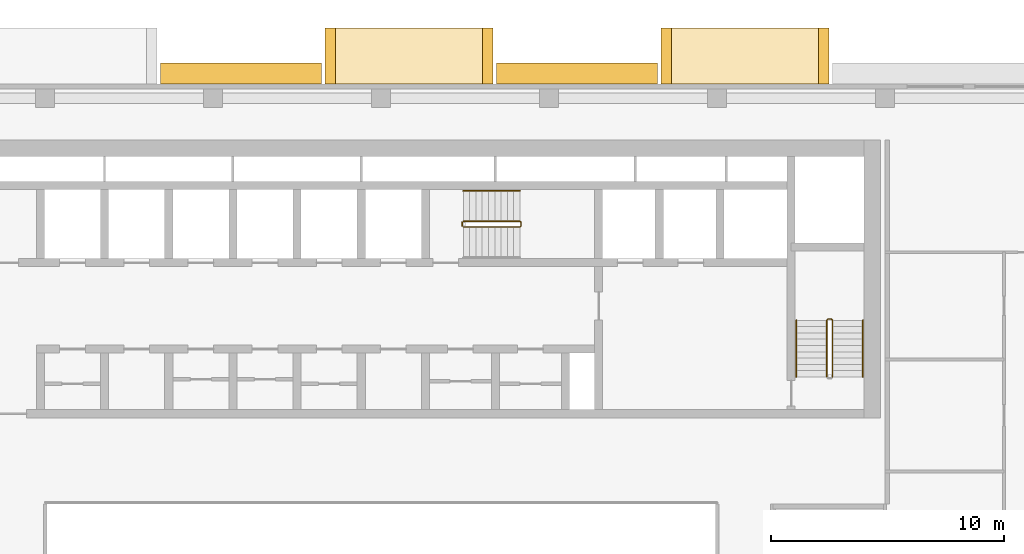
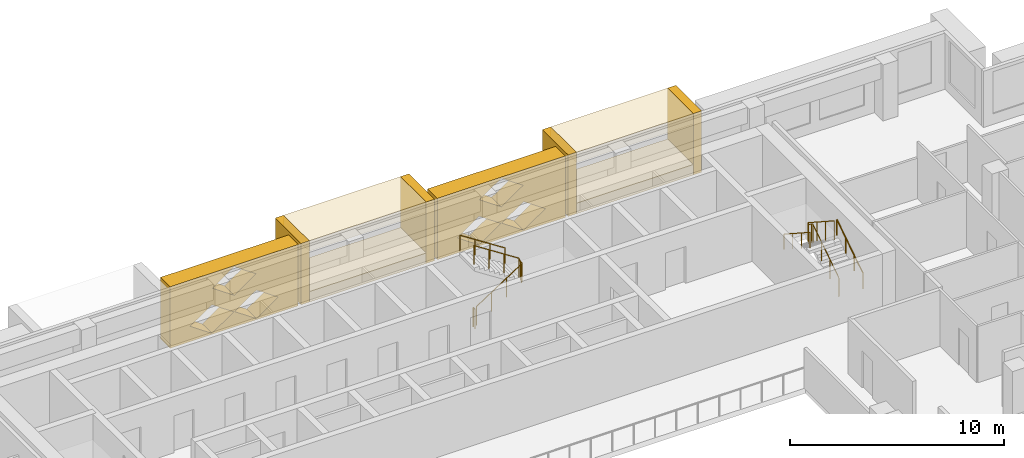
# One storey, part 19 of 20: 10 coverings, 6 railings.
"""IFC4 building model written with IfcOpenShell, lengths in metres."""

from ifc_helpers import new_model, si_unit, direction, frame, origin, origin_2d, place, context, subcontext, project, spatial, polyline, circle, outline, extrude, material, type_object, element, save


model = new_model("IFC4")

# Units and contexts
model_context = context("Model", 3, precision=1e-05, world=origin(), true_north=direction((0.0, 1.0)))
body_context = subcontext(model_context, "Body", "Model", "MODEL_VIEW")
ifc_project = project(units=[si_unit("LENGTHUNIT", "METRE"), si_unit("AREAUNIT", "SQUARE_METRE"), si_unit("VOLUMEUNIT", "CUBIC_METRE"), si_unit("PLANEANGLEUNIT", "RADIAN"), si_unit("MASSUNIT", "GRAM", prefix="KILO")], contexts=[model_context])

# Site, building, storey
site_placement = place(None, origin())
site = spatial("IfcSite", under=ifc_project, at=site_placement, CompositionType="ELEMENT")
building_placement = place(site_placement, origin())
building = spatial("IfcBuilding", under=site, at=building_placement, Name="Saffron Iwan Residences", CompositionType="ELEMENT")
storey_placement = place(building_placement, frame((0.0, 0.0, 174.5)))
storey = spatial("IfcBuildingStorey", under=building, at=storey_placement, Name="L46", CompositionType="ELEMENT", Elevation=174.5)

# Coverings
ifc_material_1 = material(Name="Precast concrete C40/50", Category="concrete")
covering_type_1 = type_object("IfcCoveringType", Name="OUTER SKIN LATTICE SCREEN", PredefinedType="CLADDING", material=ifc_material_1)
for number, where, z_axis, x_axis, name in (
    (1, (62.25, 80.39990234375, -0.300048828125), (0.0, 1.0, 0.0), (-1.0, 0.0, 0.0), "OUTER SKIN lattice screen L46 F5.1"),
    (2, (47.85009765625, 80.39990234375, -0.300048828125), (0.0, 1.0, 0.0), (-1.0, 0.0, 0.0), "OUTER SKIN lattice screen L46 F5.2"),
):
    element("IfcCovering", number, at=place(storey_placement, frame(where, z_axis=z_axis, x_axis=x_axis)), inside=storey, type_object=covering_type_1, Name=name, PredefinedType="CLADDING", context=body_context, shape_type="SweptSolid", body=[
        extrude(outline(polyline([(0.0, 0.0), (6.89990234375, 0.0), (6.89990234375, 3.5), (0.0, 3.5), (0.0, 0.0)]), holes=[polyline([(1.070068359375, 0.875), (2.25, 0.06005859375), (3.429931640625, 0.875), (2.25, 1.68994140625), (1.070068359375, 0.875)]), polyline([(3.469970703125, 0.875), (4.64990234375, 0.06005859375), (5.830078125, 0.875), (4.64990234375, 1.68994140625), (3.469970703125, 0.875)]), polyline([(2.27001953125, 2.625), (3.449951171875, 1.81005859375), (4.6298828125, 2.625), (3.449951171875, 3.43994140625), (2.27001953125, 2.625)])]), origin(), (0.0, 0.0, 1.0), 0.900146484375),
    ])

# Railings
ifc_material_2 = material(Name="Steel S355", Category="steel")
railing_type_1 = type_object("IfcRailingType", Name="Stair guard 1100", PredefinedType="GUARDRAIL", material=ifc_material_2)
railing_1_placement = place(storey_placement, frame((53.925048828125, 74.27490234375, 0.175048828125)))
element("IfcRailing", 3, at=railing_1_placement, inside=storey, type_object=railing_type_1, Name="L46 ST-C stair guard 1", PredefinedType="GUARDRAIL", context=body_context, shape_type="SweptSolid", body=[
    extrude(circle(Radius=0.02392578125, at=origin_2d()), frame((0.0, 0.0, 1.076171875), z_axis=(0.839153699163, 0.0, 0.543894354798), x_axis=(0.0, 1.0, 0.0)), (0.0, 0.0, 1.0), 2.895751953125),
    extrude(circle(Radius=0.02392578125, at=origin_2d()), frame((2.429931640625, 0.0, 2.65087890625), z_axis=(0.707106781187, 0.707106781187, 0.0), x_axis=(-0.707106781187, 0.707106781187, 0.0)), (0.0, 0.0, 1.0), 0.07080078125),
    extrude(circle(Radius=0.02392578125, at=origin_2d()), frame((2.47998046875, 0.050048828125, 2.65087890625), z_axis=(0.0, 1.0, 0.0), x_axis=(-1.0, 0.0, 0.0)), (0.0, 0.0, 1.0), 0.150146484375),
    extrude(circle(Radius=0.02392578125, at=origin_2d()), frame((2.47998046875, 0.2001953125, 2.65087890625), z_axis=(-0.265155923931, 0.263862480399, 0.927399011991), x_axis=(-0.705375805398, -0.708833529934, 0.0)), (0.0, 0.0, 1.0), 0.188720703125),
    extrude(circle(Radius=0.02392578125, at=origin_2d()), frame((2.429931640625, 0.25, 2.826171875), z_axis=(-0.839153699163, 0.0, 0.543894354798), x_axis=(0.0, -1.0, 0.0)), (0.0, 0.0, 1.0), 2.895751953125),
    extrude(circle(Radius=0.02099609375, at=origin_2d()), origin(), (0.0, 0.0, 1.0), 1.052001953125),
    extrude(circle(Radius=0.02099609375, at=origin_2d()), frame((0.81005859375, 0.0, 0.52490234375)), (0.0, 0.0, 1.0), 1.052001953125),
    extrude(circle(Radius=0.02099609375, at=origin_2d()), frame((1.619873046875, 0.0, 1.050048828125)), (0.0, 0.0, 1.0), 1.052001953125),
    extrude(circle(Radius=0.02099609375, at=origin_2d()), frame((2.429931640625, 0.0, 1.574951171875)), (0.0, 0.0, 1.0), 1.052001953125),
    extrude(circle(Radius=0.02099609375, at=origin_2d()), frame((2.47998046875, 0.050048828125, 1.574951171875)), (0.0, 0.0, 1.0), 1.052001953125),
    extrude(circle(Radius=0.02099609375, at=origin_2d()), frame((2.47998046875, 0.2001953125, 1.574951171875)), (0.0, 0.0, 1.0), 1.052001953125),
    extrude(circle(Radius=0.02099609375, at=origin_2d()), frame((2.429931640625, 0.25, 1.75)), (0.0, 0.0, 1.0), 1.052001953125),
    extrude(circle(Radius=0.02099609375, at=origin_2d()), frame((1.619873046875, 0.25, 2.27490234375)), (0.0, 0.0, 1.0), 1.052001953125),
    extrude(circle(Radius=0.02099609375, at=origin_2d()), frame((0.81005859375, 0.25, 2.800048828125)), (0.0, 0.0, 1.0), 1.052001953125),
    extrude(circle(Radius=0.02099609375, at=origin_2d()), frame((0.0, 0.25, 3.324951171875)), (0.0, 0.0, 1.0), 1.052001953125),
])
railing_2_placement = place(storey_placement, frame((53.875, 74.324951171875, 0.0)))
element("IfcRailing", 4, at=railing_2_placement, inside=storey, type_object=railing_type_1, Name="L46 ST-C stair guard 2", PredefinedType="GUARDRAIL", context=body_context, shape_type="SweptSolid", body=[
    extrude(circle(Radius=0.02392578125, at=origin_2d()), frame((0.0, 0.0, 1.076171875), z_axis=(0.0, 1.0, 0.0), x_axis=(-1.0, 0.0, 0.0)), (0.0, 0.0, 1.0), 0.150146484375),
    extrude(circle(Radius=0.02099609375, at=origin_2d()), origin(), (0.0, 0.0, 1.0), 1.052001953125),
    extrude(circle(Radius=0.02099609375, at=origin_2d()), frame((0.0, 0.150146484375, 0.0)), (0.0, 0.0, 1.0), 1.052001953125),
])
railing_3_placement = place(storey_placement, frame((69.75, 67.85009765625, 0.175048828125)))
element("IfcRailing", 5, at=railing_3_placement, inside=storey, type_object=railing_type_1, Name="L46 ST-E stair guard 1", PredefinedType="GUARDRAIL", context=body_context, shape_type="SweptSolid", body=[
    extrude(circle(Radius=0.02392578125, at=origin_2d()), frame((0.0, 0.0, 1.076171875), z_axis=(0.0, 0.839153699163, 0.543894354798), x_axis=(-1.0, 0.0, 0.0)), (0.0, 0.0, 1.0), 2.895751953125),
    extrude(circle(Radius=0.02392578125, at=origin_2d()), frame((0.0, 2.429931640625, 2.65087890625), z_axis=(-0.707106781187, 0.707106781187, 0.0), x_axis=(-0.707106781187, -0.707106781187, 0.0)), (0.0, 0.0, 1.0), 0.07080078125),
    extrude(circle(Radius=0.02392578125, at=origin_2d()), frame((-0.050048828125, 2.47998046875, 2.65087890625), z_axis=(-1.0, 0.0, 0.0), x_axis=(0.0, -1.0, 0.0)), (0.0, 0.0, 1.0), 0.14990234375),
    extrude(circle(Radius=0.02392578125, at=origin_2d()), frame((-0.199951171875, 2.47998046875, 2.65087890625), z_axis=(-0.265065253269, -0.265065253269, 0.927081885822), x_axis=(0.707106781187, -0.707106781187, 0.0)), (0.0, 0.0, 1.0), 0.188720703125),
    extrude(circle(Radius=0.02392578125, at=origin_2d()), frame((-0.25, 2.429931640625, 2.826171875), z_axis=(0.0, -0.839153699163, 0.543894354798), x_axis=(1.0, 0.0, 0.0)), (0.0, 0.0, 1.0), 2.895751953125),
    extrude(circle(Radius=0.02099609375, at=origin_2d()), origin(), (0.0, 0.0, 1.0), 1.052001953125),
    extrude(circle(Radius=0.02099609375, at=origin_2d()), frame((0.0, 0.81005859375, 0.52490234375)), (0.0, 0.0, 1.0), 1.052001953125),
    extrude(circle(Radius=0.02099609375, at=origin_2d()), frame((0.0, 1.619873046875, 1.050048828125)), (0.0, 0.0, 1.0), 1.052001953125),
    extrude(circle(Radius=0.02099609375, at=origin_2d()), frame((0.0, 2.429931640625, 1.574951171875)), (0.0, 0.0, 1.0), 1.052001953125),
    extrude(circle(Radius=0.02099609375, at=origin_2d()), frame((-0.050048828125, 2.47998046875, 1.574951171875)), (0.0, 0.0, 1.0), 1.052001953125),
    extrude(circle(Radius=0.02099609375, at=origin_2d()), frame((-0.199951171875, 2.47998046875, 1.574951171875)), (0.0, 0.0, 1.0), 1.052001953125),
    extrude(circle(Radius=0.02099609375, at=origin_2d()), frame((-0.25, 2.429931640625, 1.75)), (0.0, 0.0, 1.0), 1.052001953125),
    extrude(circle(Radius=0.02099609375, at=origin_2d()), frame((-0.25, 1.619873046875, 2.27490234375)), (0.0, 0.0, 1.0), 1.052001953125),
    extrude(circle(Radius=0.02099609375, at=origin_2d()), frame((-0.25, 0.81005859375, 2.800048828125)), (0.0, 0.0, 1.0), 1.052001953125),
    extrude(circle(Radius=0.02099609375, at=origin_2d()), frame((-0.25, 0.0, 3.324951171875)), (0.0, 0.0, 1.0), 1.052001953125),
])
ifc_material_3 = material(Name="Stainless steel 316", Category="steel")
railing_type_2 = type_object("IfcRailingType", Name="Stair handrail 900", PredefinedType="HANDRAIL", material=ifc_material_3)
railing_4_placement = place(storey_placement, frame((56.35498046875, 75.824951171875, 1.925048828125)))
element("IfcRailing", 6, at=railing_4_placement, inside=storey, type_object=railing_type_2, Name="L46 ST-C stair handrail 2", PredefinedType="HANDRAIL", context=body_context, shape_type="SweptSolid", body=[
    extrude(circle(Radius=0.02392578125, at=origin_2d()), frame((0.0, 0.0, 0.8759765625), z_axis=(-0.839153699163, 0.0, 0.543894354798), x_axis=(0.0, -1.0, 0.0)), (0.0, 0.0, 1.0), 2.895751953125),
    extrude(circle(Radius=0.02099609375, at=origin_2d()), origin(), (0.0, 0.0, 1.0), 0.851806640625),
    extrude(circle(Radius=0.02099609375, at=origin_2d()), frame((-0.81005859375, 0.0, 0.52490234375)), (0.0, 0.0, 1.0), 0.851806640625),
    extrude(circle(Radius=0.02099609375, at=origin_2d()), frame((-1.619873046875, 0.0, 1.050048828125)), (0.0, 0.0, 1.0), 0.851806640625),
    extrude(circle(Radius=0.02099609375, at=origin_2d()), frame((-2.429931640625, 0.0, 1.574951171875)), (0.0, 0.0, 1.0), 0.851806640625),
])
railing_5_placement = place(storey_placement, frame((71.050048828125, 67.85009765625, 0.175048828125)))
element("IfcRailing", 7, at=railing_5_placement, inside=storey, type_object=railing_type_2, Name="L46 ST-E stair handrail 1", PredefinedType="HANDRAIL", context=body_context, shape_type="SweptSolid", body=[
    extrude(circle(Radius=0.02392578125, at=origin_2d()), frame((0.0, 0.0, 0.8759765625), z_axis=(0.0, 0.839153699163, 0.543894354798), x_axis=(-1.0, 0.0, 0.0)), (0.0, 0.0, 1.0), 2.895751953125),
    extrude(circle(Radius=0.02099609375, at=origin_2d()), origin(), (0.0, 0.0, 1.0), 0.851806640625),
    extrude(circle(Radius=0.02099609375, at=origin_2d()), frame((0.0, 0.81005859375, 0.52490234375)), (0.0, 0.0, 1.0), 0.851806640625),
    extrude(circle(Radius=0.02099609375, at=origin_2d()), frame((0.0, 1.619873046875, 1.050048828125)), (0.0, 0.0, 1.0), 0.851806640625),
    extrude(circle(Radius=0.02099609375, at=origin_2d()), frame((0.0, 2.429931640625, 1.574951171875)), (0.0, 0.0, 1.0), 0.851806640625),
])
railing_6_placement = place(storey_placement, frame((68.199951171875, 70.280029296875, 1.925048828125)))
element("IfcRailing", 8, at=railing_6_placement, inside=storey, type_object=railing_type_2, Name="L46 ST-E stair handrail 2", PredefinedType="HANDRAIL", context=body_context, shape_type="SweptSolid", body=[
    extrude(circle(Radius=0.02392578125, at=origin_2d()), frame((0.0, 0.0, 0.8759765625), z_axis=(0.0, -0.839153699163, 0.543894354798), x_axis=(1.0, 0.0, 0.0)), (0.0, 0.0, 1.0), 2.895751953125),
    extrude(circle(Radius=0.02099609375, at=origin_2d()), origin(), (0.0, 0.0, 1.0), 0.851806640625),
    extrude(circle(Radius=0.02099609375, at=origin_2d()), frame((0.0, -0.81005859375, 0.52490234375)), (0.0, 0.0, 1.0), 0.851806640625),
    extrude(circle(Radius=0.02099609375, at=origin_2d()), frame((0.0, -1.619873046875, 1.050048828125)), (0.0, 0.0, 1.0), 0.851806640625),
    extrude(circle(Radius=0.02099609375, at=origin_2d()), frame((0.0, -2.429931640625, 1.574951171875)), (0.0, 0.0, 1.0), 0.851806640625),
])

# Coverings
ifc_material_4 = material(Name="Precast concrete C40/50 white painted", Category="concrete")
covering_type_2 = type_object("IfcCoveringType", Name="WHITE SUN FRAME PRECAST", PredefinedType="CLADDING", material=ifc_material_4)
for number, where, z_axis, x_axis, name in (
    (9, (69.60009765625, 80.39990234375, -0.300048828125), (0.0, 1.0, 0.0), (-1.0, 0.0, 0.0), "Sun frame L46 F5 13.2a"),
    (10, (62.85009765625, 80.39990234375, -0.300048828125), (0.0, 1.0, 0.0), (-1.0, 0.0, 0.0), "Sun frame L46 F5 13.2b"),
):
    element("IfcCovering", number, at=place(storey_placement, frame(where, z_axis=z_axis, x_axis=x_axis)), inside=storey, type_object=covering_type_2, Name=name, PredefinedType="CLADDING", context=body_context, shape_type="SweptSolid", body=[
        extrude(outline(polyline([(0.0, 0.0), (0.449951171875, 0.0), (0.449951171875, 3.5), (0.0, 3.5), (0.0, 0.0)])), origin(), (0.0, 0.0, 1.0), 2.400146484375),
    ])
for number, where, z_axis, x_axis, name in (
    (11, (69.14990234375, 80.39990234375, 2.60009765625), (0.0, 1.0, 0.0), (-1.0, 0.0, 0.0), "Sun frame L46 F5 13.2h"),
    (12, (69.14990234375, 80.39990234375, -0.300048828125), (0.0, 1.0, 0.0), (-1.0, 0.0, 0.0), "Sun frame L46 F5 13.2s"),
):
    element("IfcCovering", number, at=place(storey_placement, frame(where, z_axis=z_axis, x_axis=x_axis)), inside=storey, type_object=covering_type_2, Name=name, PredefinedType="CLADDING", context=body_context, shape_type="SweptSolid", body=[
        extrude(outline(polyline([(0.0, 0.0), (6.300048828125, 0.0), (6.300048828125, 0.60009765625), (0.0, 0.60009765625), (0.0, 0.0)])), origin(), (0.0, 0.0, 1.0), 2.400146484375),
    ])
for number, where, z_axis, x_axis, name in (
    (13, (55.199951171875, 80.39990234375, -0.300048828125), (0.0, 1.0, 0.0), (-1.0, 0.0, 0.0), "Sun frame L46 F5 27.6a"),
    (14, (48.449951171875, 80.39990234375, -0.300048828125), (0.0, 1.0, 0.0), (-1.0, 0.0, 0.0), "Sun frame L46 F5 27.6b"),
):
    element("IfcCovering", number, at=place(storey_placement, frame(where, z_axis=z_axis, x_axis=x_axis)), inside=storey, type_object=covering_type_2, Name=name, PredefinedType="CLADDING", context=body_context, shape_type="SweptSolid", body=[
        extrude(outline(polyline([(0.0, 0.0), (0.449951171875, 0.0), (0.449951171875, 3.5), (0.0, 3.5), (0.0, 0.0)])), origin(), (0.0, 0.0, 1.0), 2.400146484375),
    ])
for number, where, z_axis, x_axis, name in (
    (15, (54.75, 80.39990234375, 2.60009765625), (0.0, 1.0, 0.0), (-1.0, 0.0, 0.0), "Sun frame L46 F5 27.6h"),
    (16, (54.75, 80.39990234375, -0.300048828125), (0.0, 1.0, 0.0), (-1.0, 0.0, 0.0), "Sun frame L46 F5 27.6s"),
):
    element("IfcCovering", number, at=place(storey_placement, frame(where, z_axis=z_axis, x_axis=x_axis)), inside=storey, type_object=covering_type_2, Name=name, PredefinedType="CLADDING", context=body_context, shape_type="SweptSolid", body=[
        extrude(outline(polyline([(0.0, 0.0), (6.300048828125, 0.0), (6.300048828125, 0.60009765625), (0.0, 0.60009765625), (0.0, 0.0)])), origin(), (0.0, 0.0, 1.0), 2.400146484375),
    ])

save(model, "model.ifc")
